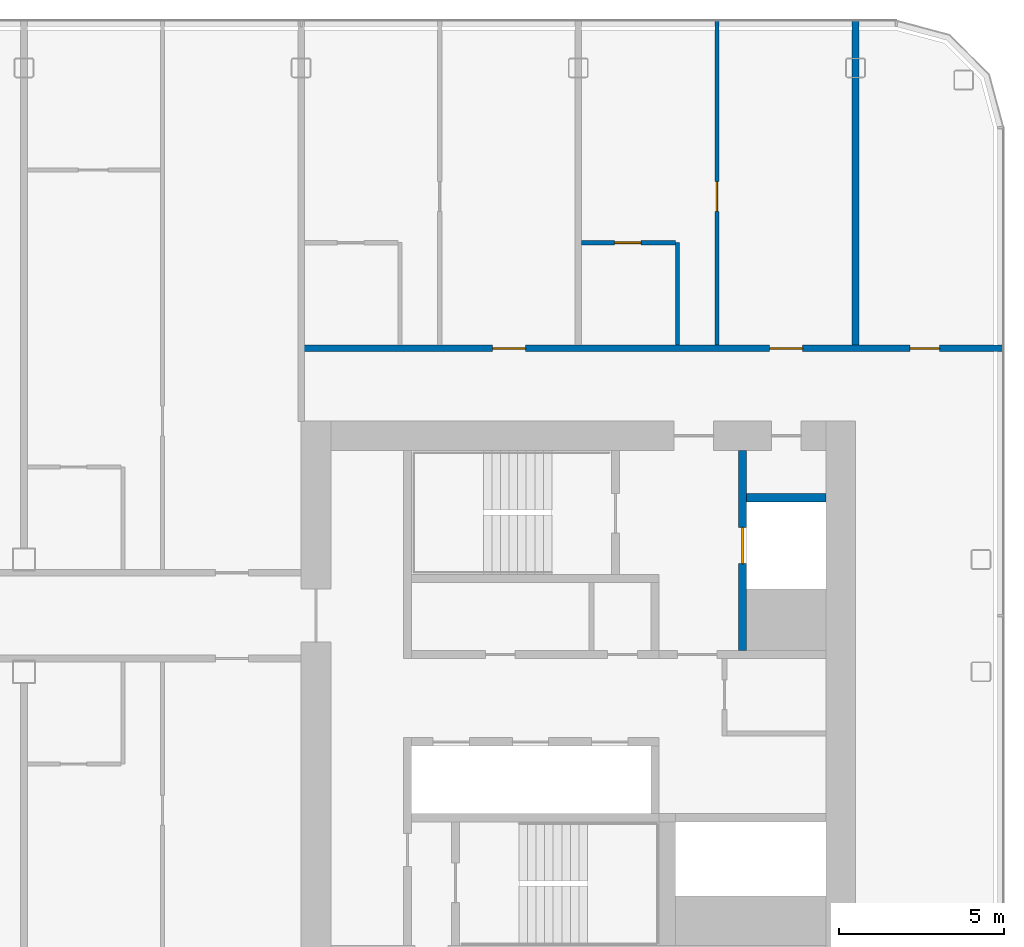
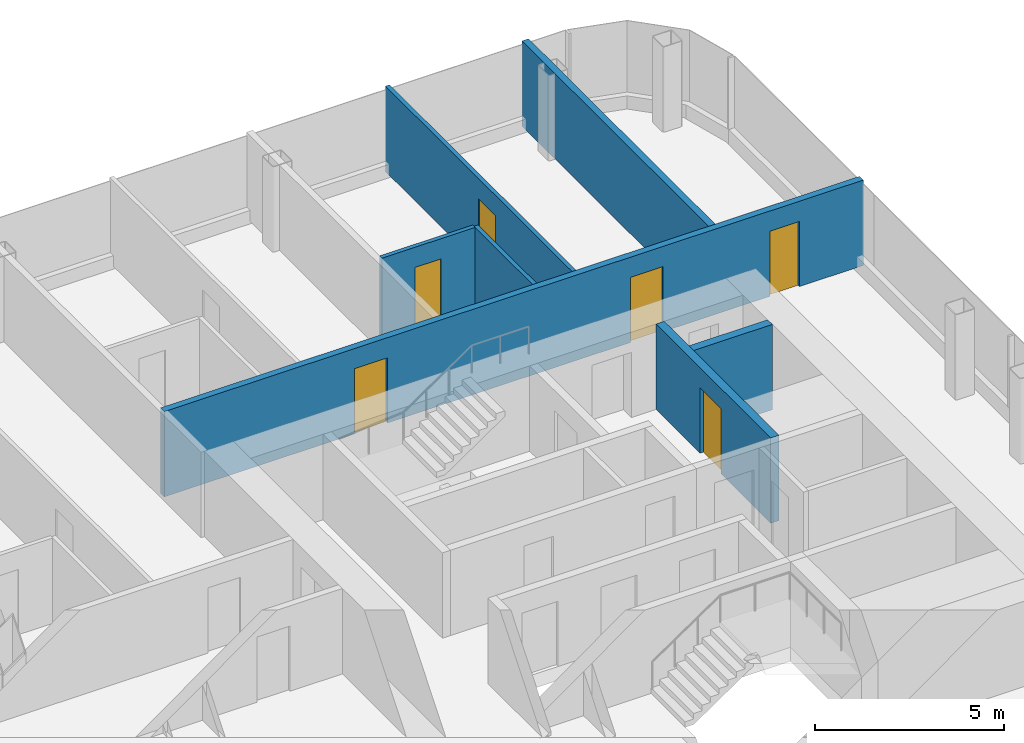
# One storey, part 17 of 26: 7 walls, 6 doors, 6 openings.
"""IFC4 building model written with IfcOpenShell, lengths in metres."""

from ifc_helpers import new_model, si_unit, direction, frame, frame_2d, origin, place, context, subcontext, project, spatial, rectangle, extrude, material, layer, layer_set, type_object, element, fill, save


model = new_model("IFC4")

# Units and contexts
model_context = context("Model", 3, precision=1e-05, world=origin(), true_north=direction((0.0, 1.0)))
body_context = subcontext(model_context, "Body", "Model", "MODEL_VIEW")
ifc_project = project(units=[si_unit("LENGTHUNIT", "METRE"), si_unit("AREAUNIT", "SQUARE_METRE"), si_unit("VOLUMEUNIT", "CUBIC_METRE"), si_unit("PLANEANGLEUNIT", "RADIAN"), si_unit("MASSUNIT", "GRAM", prefix="KILO")], contexts=[model_context])

# Site, building, storey
site_placement = place(None, origin())
site = spatial("IfcSite", under=ifc_project, at=site_placement, CompositionType="ELEMENT")
building_placement = place(site_placement, origin())
building = spatial("IfcBuilding", under=site, at=building_placement, Name="Hakoniwa Tower and Hamabe Station Hall", CompositionType="ELEMENT")
storey_placement = place(building_placement, frame((0.0, 0.0, 199.39990234375)))
storey = spatial("IfcBuildingStorey", under=building, at=storey_placement, Name="L56", CompositionType="ELEMENT", Elevation=199.39990234375)

# Wall, opening, door
ifc_material_1 = material(Name="Gypsum board partition", Category="gypsum")
ifc_layer_1 = layer(ifc_material_1, 0.125)
ifc_layer_set_1 = layer_set([ifc_layer_1], Name="Bathroom Partition 125")
wall_type_1 = type_object("IfcWallType", Name="Bathroom Partition 125", PredefinedType="PARTITIONING", material=ifc_layer_set_1)
wall_1_placement = place(storey_placement, frame((25.300048828125, 13.800048828125, 0.0), z_axis=(0.0, 0.0, 1.0), x_axis=(1.0, 0.0, 0.0)))
wall_1 = element("IfcWall", 1, at=wall_1_placement, inside=storey, type_object=wall_type_1, Name="GW-L56-019", PredefinedType="PARTITIONING", context=body_context, shape_type="SweptSolid", body=[
    extrude(rectangle(XDim=2.83740234375, YDim=0.125, at=frame_2d((1.418701171875, 0.0))), origin(), (0.0, 0.0, 1.0), 2.75),
])
opening_1_placement = place(wall_1_placement, frame((1.0, 0.0, 0.0)))
opening_1 = element("IfcOpeningElement", 2, at=opening_1_placement, cuts=wall_1, Name="Opening GD-G4E0-36", PredefinedType="OPENING", context=body_context, shape_type="SweptSolid", body=[
    extrude(rectangle(XDim=0.800048828125, YDim=2.10009765625, at=frame_2d((0.39990234375, 1.050048828125))), frame((0.0, 0.072509765625, 0.0), z_axis=(0.0, -1.0, 0.0), x_axis=(1.0, 0.0, 0.0)), (0.0, 0.0, 1.0), 0.14501953125),
])
ifc_material_2 = material(Name="Timber door leaf", Category="wood")
door_type_1 = type_object("IfcDoorType", Name="Bathroom Door 800", OperationType="SINGLE_SWING_LEFT", PredefinedType="DOOR", material=ifc_material_2)
door_1_placement = place(opening_1_placement, origin())
door_1 = element("IfcDoor", 3, at=door_1_placement, inside=storey, type_object=door_type_1, Name="Door GD-G4E0-36", OperationType="SINGLE_SWING_RIGHT", OverallHeight=2.10009765625, OverallWidth=0.800048828125, PredefinedType="DOOR", context=body_context, shape_type="SweptSolid", body=[
    extrude(rectangle(XDim=0.800048828125, YDim=2.10009765625, at=frame_2d((0.39990234375, 1.050048828125))), frame((0.0, 0.02490234375, 0.0), z_axis=(0.0, -1.0, 0.0), x_axis=(1.0, 0.0, 0.0)), (0.0, 0.0, 1.0), 0.050048828125),
])
fill(opening_1, door_1)

# Wall
wall_2_placement = place(storey_placement, frame((28.199951171875, 10.699951171875, 0.0), z_axis=(0.0, 0.0, 1.0), x_axis=(0.0, 1.0, 0.0)))
element("IfcWall", 4, at=wall_2_placement, inside=storey, type_object=wall_type_1, Name="GW-L56-059", PredefinedType="PARTITIONING", context=body_context, shape_type="SweptSolid", body=[
    extrude(rectangle(XDim=3.10009765625, YDim=0.125, at=frame_2d((1.550048828125, 0.0))), origin(), (0.0, 0.0, 1.0), 2.75),
])

# Wall, opening, door
ifc_material_3 = material(Name="Concrete C60", Category="concrete")
ifc_layer_2 = layer(ifc_material_3, 0.25)
ifc_layer_set_2 = layer_set([ifc_layer_2], Name="CORE WEB WALL 250 C60")
wall_type_2 = type_object("IfcWallType", Name="CORE WEB WALL 250 C60", PredefinedType="SHEAR", material=ifc_layer_set_2)
wall_3_placement = place(storey_placement, frame((30.175048828125, 1.449951171875, 0.0), z_axis=(0.0, 0.0, 1.0), x_axis=(0.0, 1.0, 0.0)))
wall_3 = element("IfcWall", 5, at=wall_3_placement, inside=storey, type_object=wall_type_2, Name="Core wall FFF east", PredefinedType="SHEAR", context=body_context, shape_type="SweptSolid", body=[
    extrude(rectangle(XDim=6.050048828125, YDim=0.25, at=frame_2d((3.02490234375, 0.0))), origin(), (0.0, 0.0, 1.0), 2.75),
])
opening_2_placement = place(wall_3_placement, frame((2.625, 0.0, 0.0)))
opening_2 = element("IfcOpeningElement", 6, at=opening_2_placement, cuts=wall_3, Name="Opening LD-FF2", PredefinedType="OPENING", context=body_context, shape_type="SweptSolid", body=[
    extrude(rectangle(XDim=1.10009765625, YDim=2.10009765625, at=frame_2d((0.550048828125, 1.050048828125))), frame((0.0, 0.135009765625, 0.0), z_axis=(0.0, -1.0, 0.0), x_axis=(1.0, 0.0, 0.0)), (0.0, 0.0, 1.0), 0.27001953125),
])
ifc_material_4 = material(Name="Stainless steel SUS304", Category="steel")
door_type_2 = type_object("IfcDoorType", Name="LIFT LANDING DOOR 1100 FD60", OperationType="DOUBLE_DOOR_SLIDING", PredefinedType="DOOR", material=ifc_material_4)
door_2_placement = place(opening_2_placement, origin())
door_2 = element("IfcDoor", 7, at=door_2_placement, inside=storey, type_object=door_type_2, Name="Lift landing door FF2 L56", OperationType="DOUBLE_DOOR_SLIDING", OverallHeight=2.10009765625, OverallWidth=1.10009765625, PredefinedType="DOOR", context=body_context, shape_type="SweptSolid", body=[
    extrude(rectangle(XDim=1.10009765625, YDim=2.10009765625, at=frame_2d((0.550048828125, 1.050048828125))), frame((0.0, 0.02490234375, 0.0), z_axis=(0.0, -1.0, 0.0), x_axis=(1.0, 0.0, 0.0)), (0.0, 0.0, 1.0), 0.050048828125),
])
fill(opening_2, door_2)

# Wall
wall_4_placement = place(storey_placement, frame((30.300048828125, 6.074951171875, 0.0), z_axis=(0.0, 0.0, 1.0), x_axis=(1.0, 0.0, 0.0)))
element("IfcWall", 8, at=wall_4_placement, inside=storey, type_object=wall_type_2, Name="Core wall C2 east", PredefinedType="SHEAR", context=body_context, shape_type="SweptSolid", body=[
    extrude(rectangle(XDim=2.39990234375, YDim=0.25, at=frame_2d((1.199951171875, 0.0))), origin(), (0.0, 0.0, 1.0), 2.75),
])

# Wall, openings, doors
ifc_material_5 = material(Name="Fire-rated gypsum board partition", Category="gypsum")
ifc_layer_3 = layer(ifc_material_5, 0.199951171875)
ifc_layer_set_3 = layer_set([ifc_layer_3], Name="Corridor Wall 200")
wall_type_3 = type_object("IfcWallType", Name="Corridor Wall 200", PredefinedType="PARTITIONING", material=ifc_layer_set_3)
wall_5_placement = place(storey_placement, frame((16.800048828125, 10.60009765625, 0.0), z_axis=(0.0, 0.0, 1.0), x_axis=(1.0, 0.0, 0.0)))
wall_5 = element("IfcWall", 9, at=wall_5_placement, inside=storey, type_object=wall_type_3, Name="GW-L56-017", PredefinedType="PARTITIONING", context=body_context, shape_type="SweptSolid", body=[
    extrude(rectangle(XDim=21.300048828125, YDim=0.199951171875, at=frame_2d((10.64990234375, 0.0))), origin(), (0.0, 0.0, 1.0), 2.75),
])
opening_3_placement = place(wall_5_placement, frame((5.800048828125, 0.0, 0.0)))
opening_3 = element("IfcOpeningElement", 10, at=opening_3_placement, cuts=wall_5, Name="Opening GD-G4E0-32", PredefinedType="OPENING", context=body_context, shape_type="SweptSolid", body=[
    extrude(rectangle(XDim=1.0, YDim=2.10009765625, at=frame_2d((0.5, 1.050048828125))), frame((0.0, 0.10986328125, 0.0), z_axis=(0.0, -1.0, 0.0), x_axis=(1.0, 0.0, 0.0)), (0.0, 0.0, 1.0), 0.219970703125),
])
opening_4_placement = place(wall_5_placement, frame((14.199951171875, 0.0, 0.0)))
opening_4 = element("IfcOpeningElement", 11, at=opening_4_placement, cuts=wall_5, Name="Opening GD-G4E0-33", PredefinedType="OPENING", context=body_context, shape_type="SweptSolid", body=[
    extrude(rectangle(XDim=1.0, YDim=2.10009765625, at=frame_2d((0.5, 1.050048828125))), frame((0.0, 0.10986328125, 0.0), z_axis=(0.0, -1.0, 0.0), x_axis=(1.0, 0.0, 0.0)), (0.0, 0.0, 1.0), 0.219970703125),
])
opening_5_placement = place(wall_5_placement, frame((18.449951171875, 0.0, 0.0)))
opening_5 = element("IfcOpeningElement", 12, at=opening_5_placement, cuts=wall_5, Name="Opening GD-G4E0-34", PredefinedType="OPENING", context=body_context, shape_type="SweptSolid", body=[
    extrude(rectangle(XDim=0.89990234375, YDim=2.10009765625, at=frame_2d((0.449951171875, 1.050048828125))), frame((0.0, 0.10986328125, 0.0), z_axis=(0.0, -1.0, 0.0), x_axis=(1.0, 0.0, 0.0)), (0.0, 0.0, 1.0), 0.219970703125),
])
ifc_material_6 = material(Name="Timber door leaf", Category="wood")
door_type_3 = type_object("IfcDoorType", Name="Guest Entrance Door 1000", OperationType="SINGLE_SWING_LEFT", PredefinedType="DOOR", material=ifc_material_6)
door_3_placement = place(opening_3_placement, origin())
door_3 = element("IfcDoor", 13, at=door_3_placement, inside=storey, type_object=door_type_3, Name="Door GD-G4E0-32", OperationType="SINGLE_SWING_RIGHT", OverallHeight=2.10009765625, OverallWidth=1.0, PredefinedType="DOOR", context=body_context, shape_type="SweptSolid", body=[
    extrude(rectangle(XDim=1.0, YDim=2.10009765625, at=frame_2d((0.5, 1.050048828125))), frame((0.0, 0.02490234375, 0.0), z_axis=(0.0, -1.0, 0.0), x_axis=(1.0, 0.0, 0.0)), (0.0, 0.0, 1.0), 0.050048828125),
])
fill(opening_3, door_3)
door_4_placement = place(opening_4_placement, origin())
door_4 = element("IfcDoor", 14, at=door_4_placement, inside=storey, type_object=door_type_3, Name="Door GD-G4E0-33", OperationType="SINGLE_SWING_LEFT", OverallHeight=2.10009765625, OverallWidth=1.0, PredefinedType="DOOR", context=body_context, shape_type="SweptSolid", body=[
    extrude(rectangle(XDim=1.0, YDim=2.10009765625, at=frame_2d((0.5, 1.050048828125))), frame((0.0, 0.02490234375, 0.0), z_axis=(0.0, -1.0, 0.0), x_axis=(1.0, 0.0, 0.0)), (0.0, 0.0, 1.0), 0.050048828125),
])
fill(opening_4, door_4)
ifc_material_7 = material(Name="Timber door leaf", Category="wood")
door_type_4 = type_object("IfcDoorType", Name="Service Door 900", OperationType="SINGLE_SWING_LEFT", PredefinedType="DOOR", material=ifc_material_7)
door_5_placement = place(opening_5_placement, origin())
door_5 = element("IfcDoor", 15, at=door_5_placement, inside=storey, type_object=door_type_4, Name="Door GD-G4E0-34", OperationType="SINGLE_SWING_RIGHT", OverallHeight=2.10009765625, OverallWidth=0.89990234375, PredefinedType="DOOR", context=body_context, shape_type="SweptSolid", body=[
    extrude(rectangle(XDim=0.89990234375, YDim=2.10009765625, at=frame_2d((0.449951171875, 1.050048828125))), frame((0.0, 0.02490234375, 0.0), z_axis=(0.0, -1.0, 0.0), x_axis=(1.0, 0.0, 0.0)), (0.0, 0.0, 1.0), 0.050048828125),
])
fill(opening_5, door_5)

# Wall
ifc_material_8 = material(Name="Fire-rated gypsum board partition", Category="gypsum")
ifc_layer_4 = layer(ifc_material_8, 0.199951171875)
ifc_layer_set_4 = layer_set([ifc_layer_4], Name="Party Wall 200")
wall_type_4 = type_object("IfcWallType", Name="Party Wall 200", PredefinedType="PARTITIONING", material=ifc_layer_set_4)
wall_6_placement = place(storey_placement, frame((33.60009765625, 10.699951171875, 0.0), z_axis=(0.0, 0.0, 1.0), x_axis=(0.0, 1.0, 0.0)))
element("IfcWall", 16, at=wall_6_placement, inside=storey, type_object=wall_type_4, Name="GW-L56-063", PredefinedType="PARTITIONING", context=body_context, shape_type="SweptSolid", body=[
    extrude(rectangle(XDim=9.85009765625, YDim=0.199951171875, at=frame_2d((4.925048828125, 0.0))), origin(), (0.0, 0.0, 1.0), 2.75),
])

# Wall, opening, door
ifc_material_9 = material(Name="Gypsum board partition", Category="gypsum")
ifc_layer_5 = layer(ifc_material_9, 0.125)
ifc_layer_set_5 = layer_set([ifc_layer_5], Name="Room Partition 125")
wall_type_5 = type_object("IfcWallType", Name="Room Partition 125", PredefinedType="PARTITIONING", material=ifc_layer_set_5)
wall_7_placement = place(storey_placement, frame((29.39990234375, 10.699951171875, 0.0), z_axis=(0.0, 0.0, 1.0), x_axis=(0.0, 1.0, 0.0)))
wall_7 = element("IfcWall", 17, at=wall_7_placement, inside=storey, type_object=wall_type_5, Name="GW-L56-061", PredefinedType="PARTITIONING", context=body_context, shape_type="SweptSolid", body=[
    extrude(rectangle(XDim=9.85009765625, YDim=0.125, at=frame_2d((4.925048828125, 0.0))), origin(), (0.0, 0.0, 1.0), 2.75),
])
opening_6_placement = place(wall_7_placement, frame((4.050048828125, 0.0, 0.0)))
opening_6 = element("IfcOpeningElement", 18, at=opening_6_placement, cuts=wall_7, Name="Opening GD-G4E0-49", PredefinedType="OPENING", context=body_context, shape_type="SweptSolid", body=[
    extrude(rectangle(XDim=0.89990234375, YDim=2.10009765625, at=frame_2d((0.449951171875, 1.050048828125))), frame((0.0, 0.072509765625, 0.0), z_axis=(0.0, -1.0, 0.0), x_axis=(1.0, 0.0, 0.0)), (0.0, 0.0, 1.0), 0.14501953125),
])
ifc_material_10 = material(Name="Timber door leaf", Category="wood")
door_type_5 = type_object("IfcDoorType", Name="Suite Interior Door 900", OperationType="SINGLE_SWING_LEFT", PredefinedType="DOOR", material=ifc_material_10)
door_6_placement = place(opening_6_placement, origin())
door_6 = element("IfcDoor", 19, at=door_6_placement, inside=storey, type_object=door_type_5, Name="Door GD-G4E0-49", OperationType="SINGLE_SWING_LEFT", OverallHeight=2.10009765625, OverallWidth=0.89990234375, PredefinedType="DOOR", context=body_context, shape_type="SweptSolid", body=[
    extrude(rectangle(XDim=0.89990234375, YDim=2.10009765625, at=frame_2d((0.449951171875, 1.050048828125))), frame((0.0, 0.02490234375, 0.0), z_axis=(0.0, -1.0, 0.0), x_axis=(1.0, 0.0, 0.0)), (0.0, 0.0, 1.0), 0.050048828125),
])
fill(opening_6, door_6)

save(model, "model.ifc")
